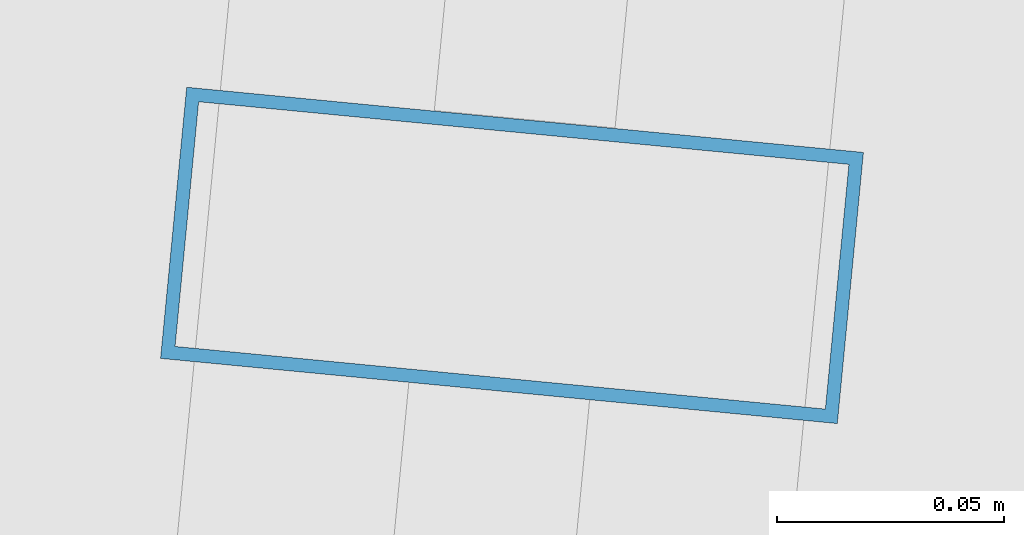
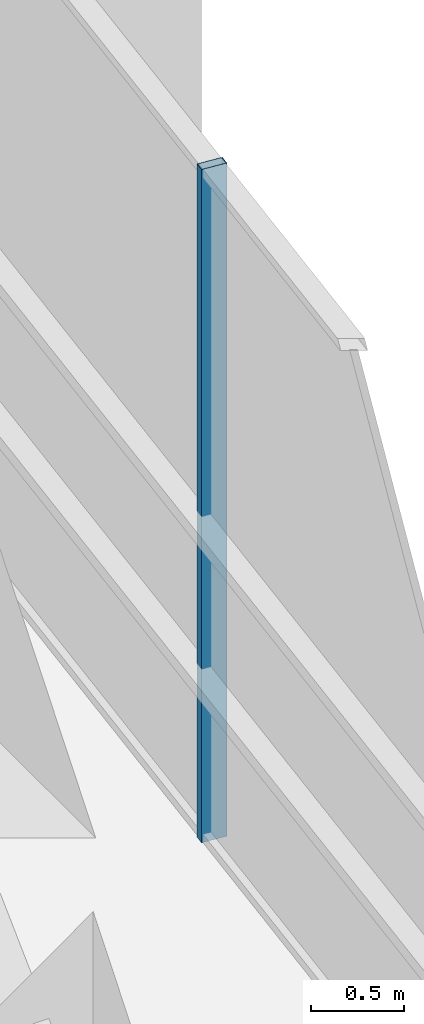
# One storey, part 18 of 31: 1 member, 1 element without a shape of its own.
"""IFC4 building model written with IfcOpenShell, lengths in metres."""

from ifc_helpers import new_model, si_unit, direction, frame, origin, origin_2d, place, context, subcontext, project, spatial, hollow_rectangle, extrude, source, transform, mapped, material, layer, layer_set, material_profile, profile_set, type_object, element, aggregate, save


model = new_model("IFC4")

# Units and contexts
model_context = context("Model", 3, precision=1e-05, world=origin(), true_north=direction((0.0, 1.0)))
body_context = subcontext(model_context, "Body", "Model", "MODEL_VIEW")
ifc_project = project(units=[si_unit("LENGTHUNIT", "METRE"), si_unit("AREAUNIT", "SQUARE_METRE"), si_unit("VOLUMEUNIT", "CUBIC_METRE"), si_unit("PLANEANGLEUNIT", "RADIAN"), si_unit("MASSUNIT", "GRAM", prefix="KILO")], contexts=[model_context])

# Site, building, storey
site_placement = place(None, origin())
site = spatial("IfcSite", under=ifc_project, at=site_placement, CompositionType="ELEMENT")
building_placement = place(site_placement, origin())
building = spatial("IfcBuilding", under=site, at=building_placement, Name="Veraguas Prism Commons", CompositionType="ELEMENT")
storey_placement = place(building_placement, frame((0.0, 0.0, 225.39990234375)))
storey = spatial("IfcBuildingStorey", under=building, at=storey_placement, Name="L64", CompositionType="ELEMENT", Elevation=225.39990234375)

# Curtain wall, member
ifc_material = material(Name="Anodised aluminium EN AW-6063 T6", Category="aluminium")
ifc_layer = layer(ifc_material, 0.14990234375, Name="Unitised Flush Curtain Wall Zone 3", Category="aluminium")
ifc_layer_set = layer_set([ifc_layer], Name="Anodised aluminium EN AW-6063 T6")
curtain_wall_type = type_object("IfcCurtainWallType", Name="Unitised Flush Curtain Wall Zone 3", PredefinedType="NOTDEFINED", material=ifc_layer_set)
curtain_wall_placement = place(storey_placement, origin())
curtain_wall = element("IfcCurtainWall", 1, at=curtain_wall_placement, inside=storey, type_object=curtain_wall_type, Name="Tower Facade Curtain Wall L64-F6", PredefinedType="NOTDEFINED")
ifc_material_profile = material_profile(ifc_material, hollow_rectangle(XDim=0.06005859375, YDim=0.14990234375, WallThickness=0.0029296875, at=origin_2d()), Name="AL60X150X3")
ifc_profile_set = profile_set([ifc_material_profile], Name="Anodised aluminium EN AW-6063 T6")
member_type = type_object("IfcMemberType", Name="Curtain Wall Mullion Upper AL 60x150x3", PredefinedType="MULLION", material=ifc_profile_set)
shared_shape = source(origin(), body_context, "Body", "SweptSolid", [
    extrude(hollow_rectangle(XDim=0.06005859375, YDim=0.14990234375, WallThickness=0.0029296875, at=origin_2d()), origin(), (0.0, 0.0, 1.0), 4.4150390625),
])
member_placement = place(storey_placement, frame((41.628662109375, 22.302490234375, 0.0), z_axis=(0.0, 0.0, 1.0), x_axis=(0.095840540637, 0.995396700201, 0.0)))
member = element("IfcMember", 2, at=member_placement, type_object=member_type, Name="CW-Z3 Mullion 3", PredefinedType="MULLION", context=body_context, shape_type="MappedRepresentation", body=[
    mapped(shared_shape, transform((0.0, 0.0, 0.0), scale=1.0)),
])
aggregate(curtain_wall, [member])

save(model, "model.ifc")
